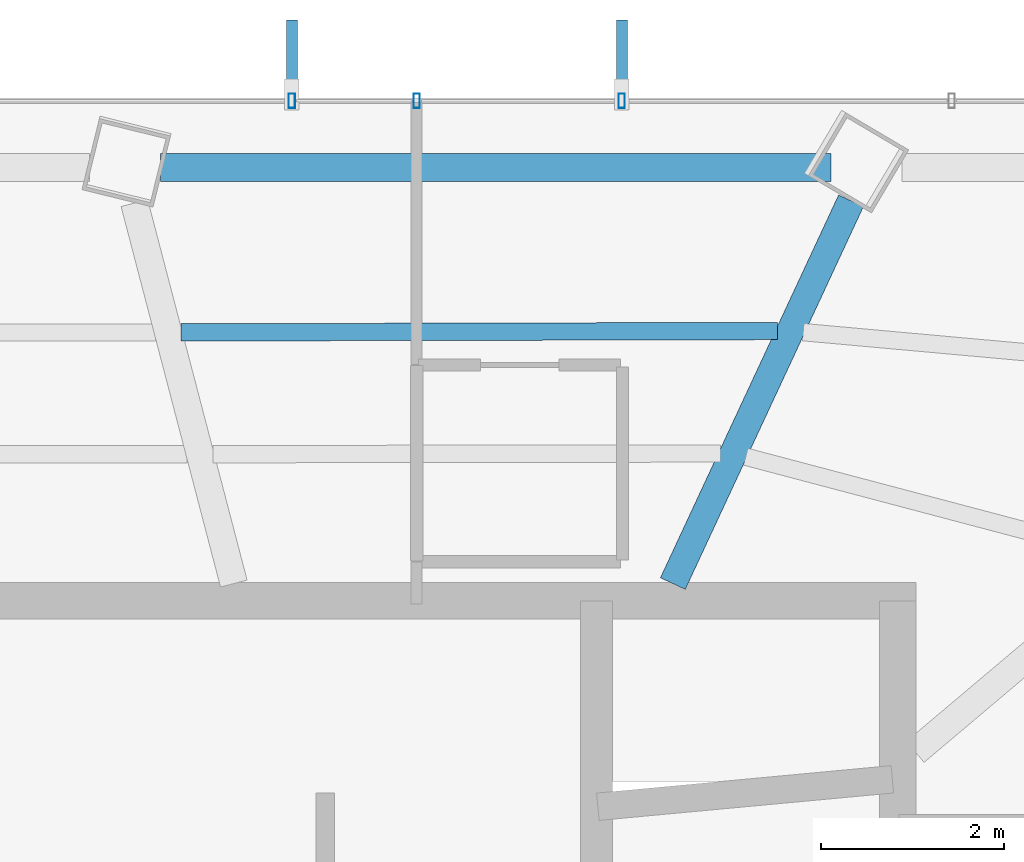
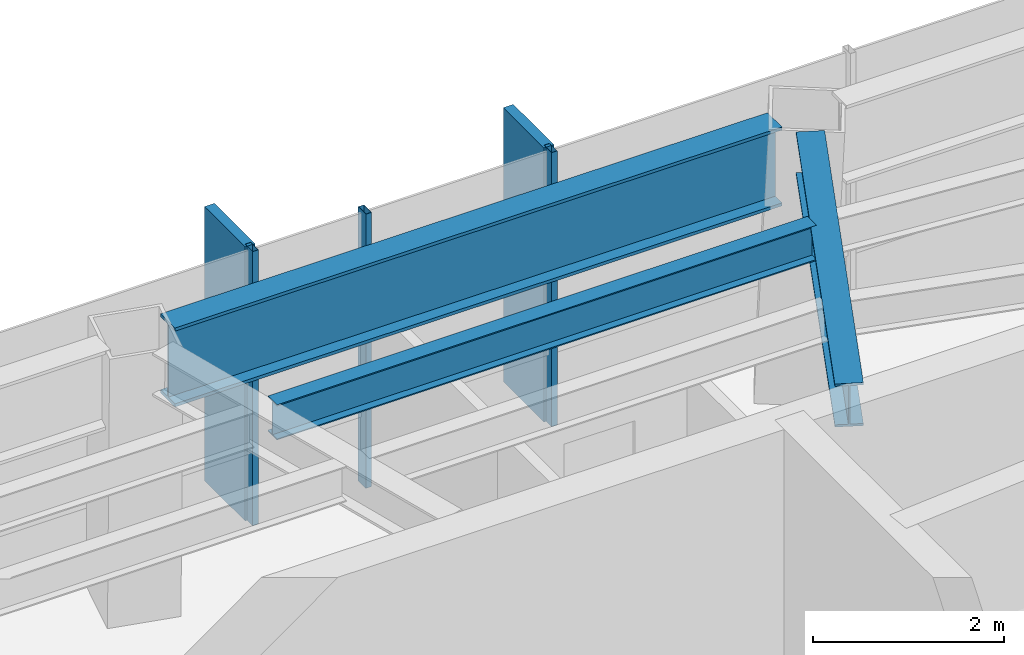
# One storey, part 17 of 30: 5 members, 3 beams, 1 element without a shape of its own.
"""IFC4 building model written with IfcOpenShell, lengths in metres."""

from ifc_helpers import new_model, si_unit, direction, frame, origin, origin_2d, place, context, subcontext, project, spatial, rectangle, hollow_rectangle, i_section, extrude, material, layer, layer_set, material_profile, profile_set, type_object, element, aggregate, save


model = new_model("IFC4")

# Units and contexts
model_context = context("Model", 3, precision=1e-05, world=origin(), true_north=direction((0.0, 1.0)))
body_context = subcontext(model_context, "Body", "Model", "MODEL_VIEW")
ifc_project = project(units=[si_unit("LENGTHUNIT", "METRE"), si_unit("AREAUNIT", "SQUARE_METRE"), si_unit("VOLUMEUNIT", "CUBIC_METRE"), si_unit("PLANEANGLEUNIT", "RADIAN"), si_unit("MASSUNIT", "GRAM", prefix="KILO")], contexts=[model_context])

# Site, building, storey
site_placement = place(None, origin())
site = spatial("IfcSite", under=ifc_project, at=site_placement, CompositionType="ELEMENT")
building_placement = place(site_placement, origin())
building = spatial("IfcBuilding", under=site, at=building_placement, Name="Zarrinselat Tower", CompositionType="ELEMENT")
storey_placement = place(building_placement, frame((0.0, 0.0, 160.820068359375)))
storey = spatial("IfcBuildingStorey", under=building, at=storey_placement, Name="L39", CompositionType="ELEMENT", Elevation=160.820068359375)

# Beams
ifc_material_1 = material(Name="Steel S355J2", Category="steel")
ifc_material_profile_1 = material_profile(ifc_material_1, i_section(OverallWidth=0.300048828125, OverallDepth=0.550048828125, WebThickness=0.014892578125, FlangeThickness=0.029052734375, at=origin_2d()), Name="HEB 550")
ifc_profile_set_1 = profile_set([ifc_material_profile_1], Name="Steel S355J2")
beam_type_1 = type_object("IfcBeamType", Name="BM-HEB550", PredefinedType="BEAM", material=ifc_profile_set_1)
beam_1_placement = place(storey_placement, frame((45.800048828125, 43.639892578125, 3.224853515625), z_axis=(0.421987605746, 0.90660159971, 0.0), x_axis=(-0.90660159971, 0.421987605746, 0.0)))
element("IfcBeam", 1, at=beam_1_placement, inside=storey, type_object=beam_type_1, Name="L39 Radial Primary Girder RG02", PredefinedType="BEAM", context=body_context, shape_type="SweptSolid", body=[
    extrude(i_section(OverallWidth=0.300048828125, OverallDepth=0.550048828125, WebThickness=0.014892578125, FlangeThickness=0.029052734375, at=origin_2d()), origin(), (0.0, 0.0, 1.0), 4.61572265625),
])
ifc_material_2 = material(Name="Steel S460M", Category="steel")
ifc_material_profile_2 = material_profile(ifc_material_2, i_section(OverallWidth=0.302001953125, OverallDepth=1.008056640625, WebThickness=0.02099609375, FlangeThickness=0.0400390625, at=origin_2d()), Name="HEM 1000")
ifc_profile_set_2 = profile_set([ifc_material_profile_2], Name="Steel S460M")
beam_type_2 = type_object("IfcBeamType", Name="BM-HEM1000", PredefinedType="BEAM", material=ifc_profile_set_2)
beam_2_placement = place(storey_placement, frame((40.19921875, 48.18896484375, 2.995849609375), z_axis=(1.0, 0.0, 0.0), x_axis=(0.0, 1.0, 0.0)))
element("IfcBeam", 2, at=beam_2_placement, inside=storey, type_object=beam_type_2, Name="L39 Perimeter Spandrel Girder SP02", PredefinedType="BEAM", context=body_context, shape_type="SweptSolid", body=[
    extrude(i_section(OverallWidth=0.302001953125, OverallDepth=1.008056640625, WebThickness=0.02099609375, FlangeThickness=0.0400390625, at=origin_2d()), origin(), (0.0, 0.0, 1.0), 7.330078125),
])
ifc_material_3 = material(Name="Steel S355J2", Category="steel")
ifc_material_profile_3 = material_profile(ifc_material_3, i_section(OverallWidth=0.18994140625, OverallDepth=0.449951171875, WebThickness=0.009521484375, FlangeThickness=0.0146484375, at=origin_2d()), Name="IPE 450")
ifc_profile_set_3 = profile_set([ifc_material_profile_3], Name="Steel S355J2")
beam_type_3 = type_object("IfcBeamType", Name="BM-IPE450", PredefinedType="JOIST", material=ifc_profile_set_3)
beam_3_placement = place(storey_placement, frame((40.42236328125, 46.385986328125, 3.27490234375), z_axis=(0.99999722023, 0.002357866121, 0.0), x_axis=(-0.002357866121, 0.99999722023, 0.0)))
element("IfcBeam", 3, at=beam_3_placement, inside=storey, type_object=beam_type_3, Name="L39 Composite Floor Joist 7-1", PredefinedType="JOIST", context=body_context, shape_type="SweptSolid", body=[
    extrude(i_section(OverallWidth=0.18994140625, OverallDepth=0.449951171875, WebThickness=0.009521484375, FlangeThickness=0.0146484375, at=origin_2d()), origin(), (0.0, 0.0, 1.0), 6.523193359375),
])

# Curtain wall, members
ifc_material_4 = material(Name="Extruded Aluminium Alloy EN AW-6063 T6", Category="aluminium")
ifc_layer = layer(ifc_material_4, 0.175048828125)
ifc_layer_set = layer_set([ifc_layer], Name="Extruded Aluminium Alloy EN AW-6063 T6")
curtain_wall_type = type_object("IfcCurtainWallType", Name="CWS-HTL", PredefinedType="NOTDEFINED", material=ifc_layer_set)
curtain_wall_placement = place(storey_placement, origin())
curtain_wall = element("IfcCurtainWall", 4, at=curtain_wall_placement, inside=storey, type_object=curtain_wall_type, Name="L39 Unitised Curtain Wall CW-L39-E03", PredefinedType="NOTDEFINED")
ifc_material_5 = material(Name="Extruded Aluminium Alloy EN AW-6063 T6", Category="aluminium")
ifc_material_profile_4 = material_profile(ifc_material_5, hollow_rectangle(XDim=0.070068359375, YDim=0.159912109375, WallThickness=0.00390625, at=origin_2d()), Name="RHS 160x70x4")
ifc_profile_set_4 = profile_set([ifc_material_profile_4], Name="Extruded Aluminium Alloy EN AW-6063 T6")
member_type_1 = type_object("IfcMemberType", Name="MEM-CW-MUL2", PredefinedType="MULLION", material=ifc_profile_set_4)
member_1_placement = place(storey_placement, frame((41.634033203125, 48.916748046875, 0.0), z_axis=(0.0, 0.0, 1.0), x_axis=(1.0, 0.0, 0.0)))
member_1 = element("IfcMember", 5, at=member_1_placement, type_object=member_type_1, Name="CW-L39-E03 Mullion 5", PredefinedType="MULLION", context=body_context, shape_type="SweptSolid", body=[
    extrude(hollow_rectangle(XDim=0.070068359375, YDim=0.159912109375, WallThickness=0.00390625, at=origin_2d()), origin(), (0.0, 0.0, 1.0), 3.5),
])
member_2_placement = place(storey_placement, frame((43.0, 48.916748046875, 0.0), z_axis=(0.0, 0.0, 1.0), x_axis=(1.0, 0.0, 0.0)))
member_2 = element("IfcMember", 6, at=member_2_placement, type_object=member_type_1, Name="CW-L39-E03 Mullion 6", PredefinedType="MULLION", context=body_context, shape_type="SweptSolid", body=[
    extrude(hollow_rectangle(XDim=0.070068359375, YDim=0.159912109375, WallThickness=0.00390625, at=origin_2d()), origin(), (0.0, 0.0, 1.0), 3.5),
])
member_3_placement = place(storey_placement, frame((45.24169921875, 48.916748046875, 0.0), z_axis=(0.0, 0.0, 1.0), x_axis=(1.0, 0.0, 0.0)))
member_3 = element("IfcMember", 7, at=member_3_placement, type_object=member_type_1, Name="CW-L39-E03 Mullion 7", PredefinedType="MULLION", context=body_context, shape_type="SweptSolid", body=[
    extrude(hollow_rectangle(XDim=0.070068359375, YDim=0.159912109375, WallThickness=0.00390625, at=origin_2d()), origin(), (0.0, 0.0, 1.0), 3.5),
])
ifc_material_6 = material(Name="Honed Cream Travertine Stone", Category="masonry")
ifc_material_profile_5 = material_profile(ifc_material_6, rectangle(XDim=0.1201171875, YDim=0.85009765625, at=origin_2d()), Name="FIN 850x120")
ifc_profile_set_5 = profile_set([ifc_material_profile_5], Name="Honed Cream Travertine Stone")
member_type_2 = type_object("IfcMemberType", Name="MEM-STONE-FIN", PredefinedType="USERDEFINED", material=ifc_profile_set_5)
member_4_placement = place(storey_placement, frame((41.634033203125, 49.376708984375, 0.0), z_axis=(0.0, 0.0, 1.0), x_axis=(1.0, 0.0, 0.0)))
member_4 = element("IfcMember", 8, at=member_4_placement, type_object=member_type_2, Name="L39 Stone Shading Fin CW-L39-E03-05", ObjectType="FIN", PredefinedType="USERDEFINED", context=body_context, shape_type="SweptSolid", body=[
    extrude(rectangle(XDim=0.1201171875, YDim=0.85009765625, at=origin_2d()), origin(), (0.0, 0.0, 1.0), 3.5),
])
member_5_placement = place(storey_placement, frame((45.24169921875, 49.376708984375, 0.0), z_axis=(0.0, 0.0, 1.0), x_axis=(1.0, 0.0, 0.0)))
member_5 = element("IfcMember", 9, at=member_5_placement, type_object=member_type_2, Name="L39 Stone Shading Fin CW-L39-E03-07", ObjectType="FIN", PredefinedType="USERDEFINED", context=body_context, shape_type="SweptSolid", body=[
    extrude(rectangle(XDim=0.1201171875, YDim=0.85009765625, at=origin_2d()), origin(), (0.0, 0.0, 1.0), 3.5),
])
aggregate(curtain_wall, [member_1, member_4, member_2, member_3, member_5])

save(model, "model.ifc")
